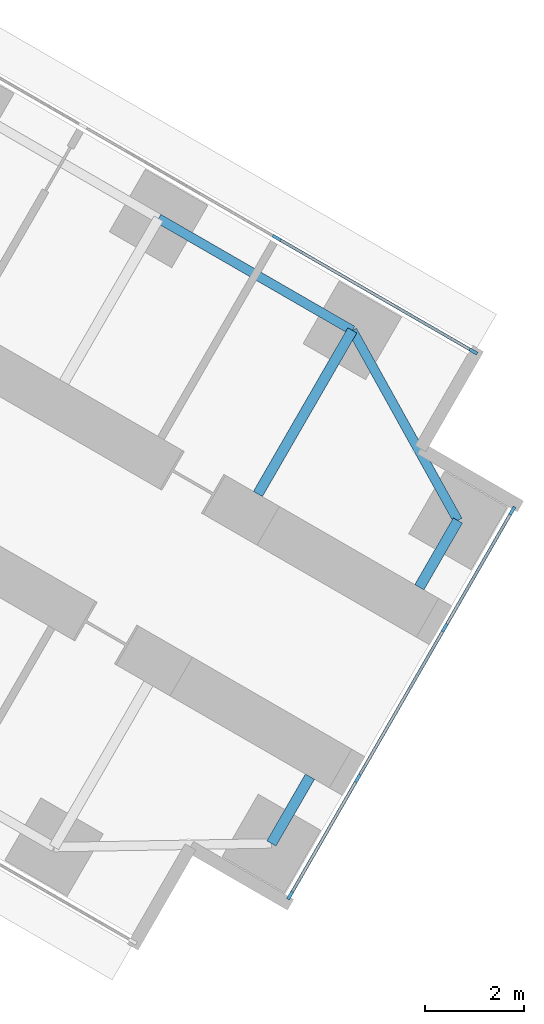
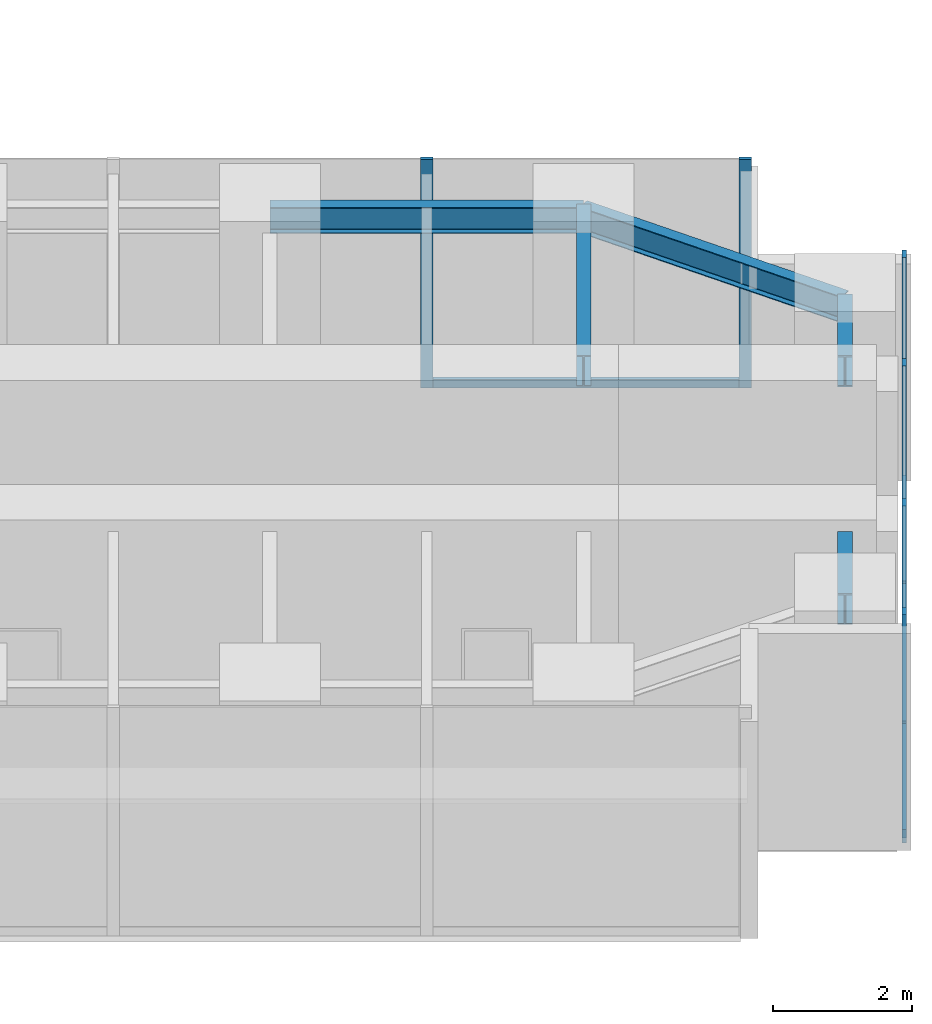
# One storey, part 12 of 24: 10 members, 5 beams, 2 elements without a shape of their own.
"""IFC4 building model written with IfcOpenShell, lengths in metres."""

from ifc_helpers import new_model, si_unit, direction, frame, origin, origin_2d, place, context, subcontext, project, spatial, rectangle, i_section, extrude, material, material_profile, profile_set, type_object, element, aggregate, save


model = new_model("IFC4")

# Units and contexts
model_context = context("Model", 3, precision=1e-05, world=origin(), true_north=direction((0.0, 1.0)))
body_context = subcontext(model_context, "Body", "Model", "MODEL_VIEW")
ifc_project = project(units=[si_unit("LENGTHUNIT", "METRE"), si_unit("AREAUNIT", "SQUARE_METRE"), si_unit("VOLUMEUNIT", "CUBIC_METRE"), si_unit("PLANEANGLEUNIT", "RADIAN"), si_unit("MASSUNIT", "GRAM", prefix="KILO")], contexts=[model_context])

# Site, building, storey
site_placement = place(None, origin())
site = spatial("IfcSite", under=ifc_project, at=site_placement, CompositionType="ELEMENT")
building_placement = place(site_placement, origin())
building = spatial("IfcBuilding", under=site, at=building_placement, Name="Upepo Twin Towers", CompositionType="ELEMENT")
storey_placement = place(building_placement, frame((0.0, 0.0, 64.5)))
storey = spatial("IfcBuildingStorey", under=building, at=storey_placement, Name="L15", CompositionType="ELEMENT", Elevation=64.5)

# Beams
ifc_material_1 = material(Name="Steel S355", Category="steel")
ifc_material_profile_1 = material_profile(ifc_material_1, i_section(OverallWidth=0.1904296875, OverallDepth=0.45703125, WebThickness=0.009033203125, FlangeThickness=0.014404296875, FilletRadius=0.01025390625, at=origin_2d()), Name="UB 457x191x74")
ifc_profile_set_1 = profile_set([ifc_material_profile_1], Name="Steel S355")
beam_type_1 = type_object("IfcBeamType", Name="Beam UB 457x191x74", PredefinedType="BEAM", material=ifc_profile_set_1)
beam_1_placement = place(storey_placement, frame((77.08837890625, -21.803955078125, 3.571533203125), z_axis=(0.866031096941, -0.499990139034, 0.0), x_axis=(0.499990139034, 0.866031096941, 0.0)))
element("IfcBeam", 1, at=beam_1_placement, inside=storey, type_object=beam_type_1, Name="T2 edge beam CL 18.0-22.5", PredefinedType="BEAM", context=body_context, shape_type="SweptSolid", body=[
    extrude(i_section(OverallWidth=0.1904296875, OverallDepth=0.45703125, WebThickness=0.009033203125, FlangeThickness=0.014404296875, FilletRadius=0.01025390625, at=origin_2d()), origin(), (0.0, 0.0, 1.0), 4.5),
])
beam_2_placement = place(storey_placement, frame((80.985595703125, -24.053955078125, 3.571533203125), z_axis=(0.485363242752, -0.874312600038, 0.0), x_axis=(0.874312600038, 0.485363242752, 0.0)))
element("IfcBeam", 2, at=beam_2_placement, inside=storey, type_object=beam_type_1, Name="T2 nose edge beam CL", PredefinedType="BEAM", context=body_context, shape_type="SweptSolid", body=[
    extrude(i_section(OverallWidth=0.1904296875, OverallDepth=0.45703125, WebThickness=0.009033203125, FlangeThickness=0.014404296875, FilletRadius=0.01025390625, at=origin_2d()), origin(), (0.0, 0.0, 1.0), 4.373046875),
])
ifc_material_2 = material(Name="Steel S355", Category="steel")
ifc_material_profile_2 = material_profile(ifc_material_2, i_section(OverallWidth=0.2119140625, OverallDepth=0.54443359375, WebThickness=0.0126953125, FlangeThickness=0.021240234375, FilletRadius=0.0126953125, at=origin_2d()), Name="UB 533x210x122")
ifc_profile_set_2 = profile_set([ifc_material_profile_2], Name="Steel S355")
beam_type_2 = type_object("IfcBeamType", Name="Beam UB 533x210x122", PredefinedType="BEAM", material=ifc_profile_set_2)
for number, where, z_axis, x_axis, name in (
    (3, (83.108154296875, -27.87744140625, 3.52783203125), (-0.499967891604, -0.866043940782, 0.0), (0.866043940782, -0.499967891604, 0.0), "T2 nose beam CL"),
    (4, (79.358154296875, -34.37255859375, 3.52783203125), (0.499967891604, 0.866043940782, 0.0), (-0.866043940782, 0.499967891604, 0.0), "T2 nose beam CR"),
):
    element("IfcBeam", number, at=place(storey_placement, frame(where, z_axis=z_axis, x_axis=x_axis)), inside=storey, type_object=beam_type_2, Name=name, PredefinedType="BEAM", context=body_context, shape_type="SweptSolid", body=[
        extrude(i_section(OverallWidth=0.2119140625, OverallDepth=0.54443359375, WebThickness=0.0126953125, FlangeThickness=0.021240234375, FilletRadius=0.0126953125, at=origin_2d()), origin(), (0.0, 0.0, 1.0), 1.5498046875),
    ])
ifc_material_3 = material(Name="Steel S355", Category="steel")
ifc_material_profile_3 = material_profile(ifc_material_3, i_section(OverallWidth=0.209228515625, OverallDepth=0.533203125, WebThickness=0.010009765625, FlangeThickness=0.015625, FilletRadius=0.0126953125, at=origin_2d()), Name="UB 533x210x92")
ifc_profile_set_3 = profile_set([ifc_material_profile_3], Name="Steel S355")
beam_type_3 = type_object("IfcBeamType", Name="Beam UB 533x210x92", PredefinedType="BEAM", material=ifc_profile_set_3)
beam_3_placement = place(storey_placement, frame((80.985595703125, -24.053955078125, 3.533447265625), z_axis=(-0.499994975061, -0.866028304915, 0.0), x_axis=(0.866028304915, -0.499994975061, 0.0)))
element("IfcBeam", 5, at=beam_3_placement, inside=storey, type_object=beam_type_3, Name="T2 girder CL at 22.5", PredefinedType="BEAM", context=body_context, shape_type="SweptSolid", body=[
    extrude(i_section(OverallWidth=0.209228515625, OverallDepth=0.533203125, WebThickness=0.010009765625, FlangeThickness=0.015625, FilletRadius=0.0126953125, at=origin_2d()), origin(), (0.0, 0.0, 1.0), 3.7998046875),
])

# Curtain wall, members
ifc_material_4 = material(Name="Aluminium and fritted glass", Category="aluminium")
curtain_wall_type = type_object("IfcCurtainWallType", Name="Tower curtain wall TW1, fritted glass", PredefinedType="NOTDEFINED", material=ifc_material_4)
curtain_wall_1_placement = place(storey_placement, origin())
curtain_wall_1 = element("IfcCurtainWall", 6, at=curtain_wall_1_placement, inside=storey, type_object=curtain_wall_type, Name="T2 L15 wing C flank L curtain wall", PredefinedType="NOTDEFINED")
ifc_material_5 = material(Name="Aluminium mullion", Category="aluminium")
ifc_material_profile_4 = material_profile(ifc_material_5, rectangle(XDim=0.06494140625, YDim=0.179931640625, at=origin_2d()), Name="MULLION 65x180")
ifc_profile_set_4 = profile_set([ifc_material_profile_4], Name="Aluminium mullion")
member_type_1 = type_object("IfcMemberType", Name="Mullion 65x180 TW1", PredefinedType="MULLION", material=ifc_profile_set_4)
member_1_placement = place(storey_placement, frame((79.4619140625, -22.192626953125, 0.0), z_axis=(0.0, 0.0, 1.0), x_axis=(0.500000024426, 0.866025389682, 0.0)))
member_1 = element("IfcMember", 7, at=member_1_placement, type_object=member_type_1, Name="T2 L15 wing C flank L curtain wall mullion 3", PredefinedType="MULLION", context=body_context, shape_type="SweptSolid", body=[
    extrude(rectangle(XDim=0.06494140625, YDim=0.179931640625, at=origin_2d()), origin(), (0.0, 0.0, 1.0), 4.0),
])
member_2_placement = place(storey_placement, frame((83.41748046875, -24.4765625, 0.0), z_axis=(0.0, 0.0, 1.0), x_axis=(0.500000024426, 0.866025389682, 0.0)))
member_2 = element("IfcMember", 8, at=member_2_placement, type_object=member_type_1, Name="T2 L15 wing C flank L curtain wall mullion 4", PredefinedType="MULLION", context=body_context, shape_type="SweptSolid", body=[
    extrude(rectangle(XDim=0.06494140625, YDim=0.179931640625, at=origin_2d()), origin(), (0.0, 0.0, 1.0), 4.0),
])

curtain_wall_2_placement = place(storey_placement, origin())
curtain_wall_2 = element("IfcCurtainWall", 9, at=curtain_wall_2_placement, inside=storey, type_object=curtain_wall_type, Name="T2 L15 wing C nose curtain wall", PredefinedType="NOTDEFINED")
member_3_placement = place(storey_placement, frame((79.735595703125, -35.4189453125, 0.0), z_axis=(0.0, 0.0, 1.0), x_axis=(-0.866025386174, 0.500000030502, 0.0)))
member_3 = element("IfcMember", 10, at=member_3_placement, type_object=member_type_1, Name="T2 L15 wing C nose curtain wall mullion 1", PredefinedType="MULLION", context=body_context, shape_type="SweptSolid", body=[
    extrude(rectangle(XDim=0.06494140625, YDim=0.179931640625, at=origin_2d()), origin(), (0.0, 0.0, 1.0), 4.0),
])
member_4_placement = place(storey_placement, frame((81.09423828125, -33.0654296875, 0.0), z_axis=(0.0, 0.0, 1.0), x_axis=(-0.866025386174, 0.500000030502, 0.0)))
member_4 = element("IfcMember", 11, at=member_4_placement, type_object=member_type_1, Name="T2 L15 wing C nose curtain wall mullion 2", PredefinedType="MULLION", context=body_context, shape_type="SweptSolid", body=[
    extrude(rectangle(XDim=0.06494140625, YDim=0.179931640625, at=origin_2d()), origin(), (0.0, 0.0, 1.0), 4.0),
])
member_5_placement = place(storey_placement, frame((82.84423828125, -30.034423828125, 0.0), z_axis=(0.0, 0.0, 1.0), x_axis=(-0.866025386174, 0.500000030502, 0.0)))
member_5 = element("IfcMember", 12, at=member_5_placement, type_object=member_type_1, Name="T2 L15 wing C nose curtain wall mullion 3", PredefinedType="MULLION", context=body_context, shape_type="SweptSolid", body=[
    extrude(rectangle(XDim=0.06494140625, YDim=0.179931640625, at=origin_2d()), origin(), (0.0, 0.0, 1.0), 4.0),
])
member_6_placement = place(storey_placement, frame((84.203125, -27.68115234375, 0.0), z_axis=(0.0, 0.0, 1.0), x_axis=(-0.866025386174, 0.500000030502, 0.0)))
member_6 = element("IfcMember", 13, at=member_6_placement, type_object=member_type_1, Name="T2 L15 wing C nose curtain wall mullion 4", PredefinedType="MULLION", context=body_context, shape_type="SweptSolid", body=[
    extrude(rectangle(XDim=0.06494140625, YDim=0.179931640625, at=origin_2d()), origin(), (0.0, 0.0, 1.0), 4.0),
])

# Member
ifc_material_6 = material(Name="Aluminium transom", Category="aluminium")
ifc_material_profile_5 = material_profile(ifc_material_6, rectangle(XDim=0.06494140625, YDim=0.14990234375, at=origin_2d()), Name="TRANSOM 65x150")
ifc_profile_set_5 = profile_set([ifc_material_profile_5], Name="Aluminium transom")
member_type_2 = type_object("IfcMemberType", Name="Transom 65x150 TW1", PredefinedType="USERDEFINED", material=ifc_profile_set_5)
member_7_placement = place(storey_placement, frame((79.490234375, -22.208984375, 0.074951171875), z_axis=(0.866022143554, -0.500005646842, 0.0), x_axis=(0.500005646842, 0.866022143554, 0.0)))
member_7 = element("IfcMember", 14, at=member_7_placement, type_object=member_type_2, Name="T2 L15 wing C flank L curtain wall transom 3", ObjectType="TRANSOM", PredefinedType="USERDEFINED", context=body_context, shape_type="SweptSolid", body=[
    extrude(rectangle(XDim=0.06494140625, YDim=0.14990234375, at=origin_2d()), origin(), (0.0, 0.0, 1.0), 4.50244140625),
])

aggregate(curtain_wall_1, [member_1, member_2, member_7])

member_8_placement = place(storey_placement, frame((79.751708984375, -35.390869140625, 0.074951171875), z_axis=(0.500049101008, 0.865997053448, 0.0), x_axis=(-0.865997053448, 0.500049101008, 0.0)))
member_8 = element("IfcMember", 15, at=member_8_placement, type_object=member_type_2, Name="T2 L15 wing C nose curtain wall transom 1", ObjectType="TRANSOM", PredefinedType="USERDEFINED", context=body_context, shape_type="SweptSolid", body=[
    extrude(rectangle(XDim=0.06494140625, YDim=0.14990234375, at=origin_2d()), origin(), (0.0, 0.0, 1.0), 2.652587890625),
])

member_9_placement = place(storey_placement, frame((81.110595703125, -33.037353515625, 0.074951171875), z_axis=(0.499999305434, 0.866025804792, 0.0), x_axis=(-0.866025804792, 0.499999305434, 0.0)))
member_9 = element("IfcMember", 16, at=member_9_placement, type_object=member_type_2, Name="T2 L15 wing C nose curtain wall transom 2", ObjectType="TRANSOM", PredefinedType="USERDEFINED", context=body_context, shape_type="SweptSolid", body=[
    extrude(rectangle(XDim=0.06494140625, YDim=0.14990234375, at=origin_2d()), origin(), (0.0, 0.0, 1.0), 3.43505859375),
])

member_10_placement = place(storey_placement, frame((82.860595703125, -30.00634765625, 0.074951171875), z_axis=(0.499980071345, 0.866036909293, 0.0), x_axis=(-0.866036909293, 0.499980071345, 0.0)))
member_10 = element("IfcMember", 17, at=member_10_placement, type_object=member_type_2, Name="T2 L15 wing C nose curtain wall transom 3", ObjectType="TRANSOM", PredefinedType="USERDEFINED", context=body_context, shape_type="SweptSolid", body=[
    extrude(rectangle(XDim=0.06494140625, YDim=0.14990234375, at=origin_2d()), origin(), (0.0, 0.0, 1.0), 2.65234375),
])

aggregate(curtain_wall_2, [member_3, member_4, member_5, member_6, member_8, member_9, member_10])

save(model, "model.ifc")
